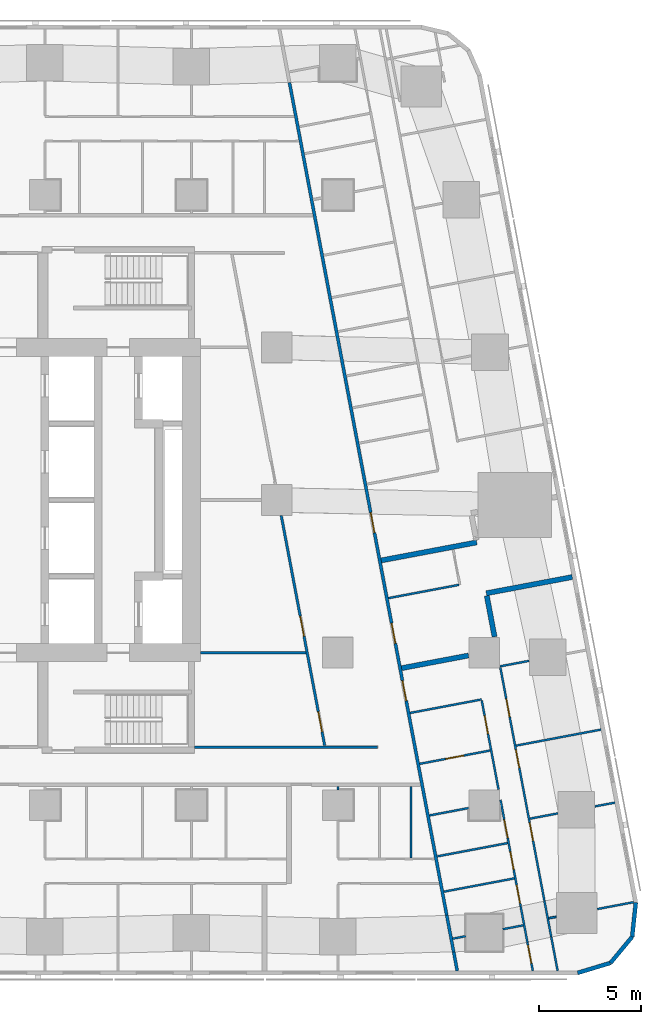
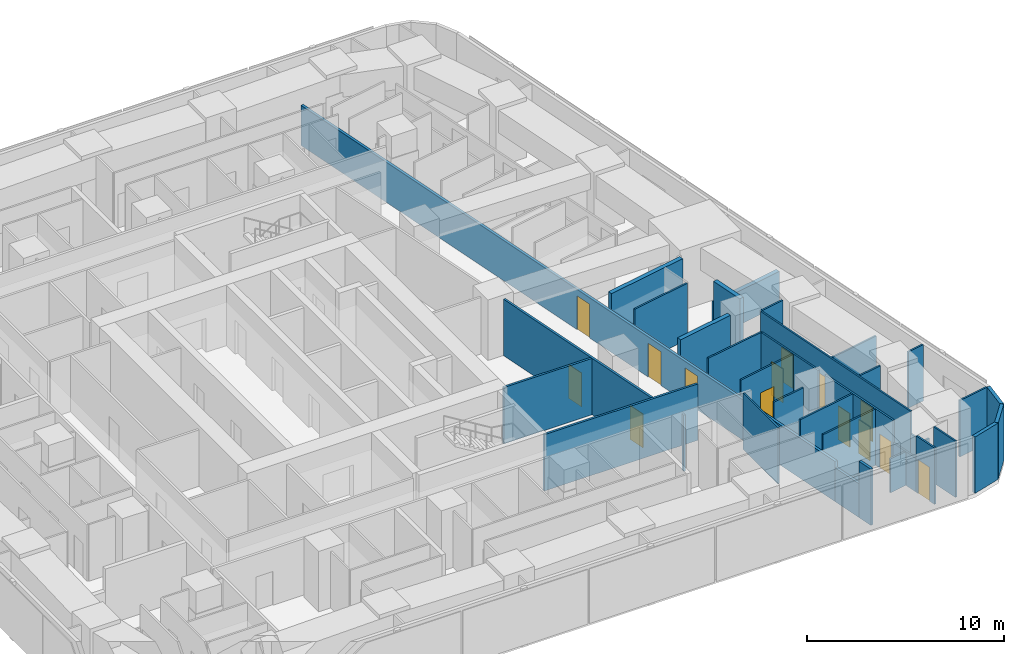
# One storey, part 7 of 15: 36 walls, 14 doors, 14 openings.
"""IFC4 building model written with IfcOpenShell, lengths in metres."""

import ifcopenshell
import ifcopenshell.guid

model = None  # the IFC model being written
_history = None  # IfcOwnerHistory: only IFC2X3 demands one
_inside = {}  # id of a spatial element -> (the spatial element, [elements in it])
_under = {}  # id of a project, library or spatial element -> (it, [spatial elements below it])
_declared = {}  # id of a project -> (the project, [libraries it declares])
_typed = {}  # id of a type object -> (the type object, [elements of that type])
_made_of = {}  # id of a material, layer set ... -> (it, [elements and type objects made of it])


def new_model(schema):
    """Start an empty IFC model of exactly this schema.

    Asked for "IFC4X3", IfcOpenShell would pick the latest addendum, in which some entities
    have other attributes; the version numbers below select the first issue.
    IFC2X3 requires an IfcOwnerHistory on every rooted entity: one is made here for all.
    """
    global model, _history
    if schema == "IFC4X3":
        model = ifcopenshell.file(schema_version=(4, 3, 0, 0))
    else:
        model = ifcopenshell.file(schema=schema)
    _inside.clear()
    _under.clear()
    _declared.clear()
    _typed.clear()
    _made_of.clear()
    _history = None
    if model.schema == "IFC2X3":
        org = make("IfcOrganization", Name="unknown")
        user = make(
            "IfcPersonAndOrganization",
            ThePerson=make("IfcPerson", FamilyName="unknown"),
            TheOrganization=org,
        )
        app = make(
            "IfcApplication",
            ApplicationDeveloper=org,
            Version="unknown",
            ApplicationFullName="unknown",
            ApplicationIdentifier="unknown",
        )
        _history = make(
            "IfcOwnerHistory",
            OwningUser=user,
            OwningApplication=app,
            ChangeAction="ADDED",
            CreationDate=0,
        )
    return model


def make(cls, **values):
    """One entity of the class cls with the attributes given. An attribute that is None is left unset."""
    return model.create_entity(
        cls, **{name: value for name, value in values.items() if value is not None}
    )


def rooted(cls, **values):
    """An entity with a GlobalId (a new one), such as an element, a storey or a relation."""
    return make(cls, GlobalId=ifcopenshell.guid.new(), OwnerHistory=_history, **values)


def si_unit(unit_type, name, prefix=None):
    """IfcSIUnit, for example si_unit("LENGTHUNIT", "METRE", prefix="MILLI")."""
    return make("IfcSIUnit", UnitType=unit_type, Prefix=prefix, Name=name)


def assignment(units):
    """IfcUnitAssignment: the units of a project."""
    return None if units is None else make("IfcUnitAssignment", Units=units)


def point(xyz):
    """IfcCartesianPoint."""
    return None if xyz is None else make("IfcCartesianPoint", Coordinates=xyz)


def direction(xyz):
    """IfcDirection."""
    return None if xyz is None else make("IfcDirection", DirectionRatios=xyz)


def frame(location, z_axis=None, x_axis=None):
    """IfcAxis2Placement3D, a coordinate frame: its origin and axes. An axis left out is left unset."""
    return make(
        "IfcAxis2Placement3D",
        Location=point(location),
        Axis=direction(z_axis),
        RefDirection=direction(x_axis),
    )


def frame_2d(location, x_axis=None):
    """IfcAxis2Placement2D, a coordinate frame in the plane: its origin and x axis."""
    return make(
        "IfcAxis2Placement2D", Location=point(location), RefDirection=direction(x_axis)
    )


def origin():
    """The frame at (0, 0, 0) with its axes left unset."""
    return frame((0.0, 0.0, 0.0))


def place(relative_to, where):
    """IfcLocalPlacement: puts the frame where relative to a parent placement (None: the world)."""
    return make(
        "IfcLocalPlacement", PlacementRelTo=relative_to, RelativePlacement=where
    )


def context(
    kind, dimensions, precision=None, world=None, true_north=None, identifier=None
):
    """IfcGeometricRepresentationContext, for example the 3D "Model" context."""
    return make(
        "IfcGeometricRepresentationContext",
        ContextIdentifier=identifier,
        ContextType=kind,
        CoordinateSpaceDimension=dimensions,
        Precision=precision,
        WorldCoordinateSystem=world,
        TrueNorth=true_north,
    )


def subcontext(parent, identifier, kind, view, scale=None):
    """IfcGeometricRepresentationSubContext, for example "Body" below "Model"."""
    return make(
        "IfcGeometricRepresentationSubContext",
        ContextIdentifier=identifier,
        ContextType=kind,
        ParentContext=parent,
        TargetScale=scale,
        TargetView=view,
    )


def project(units=None, contexts=None):
    """IfcProject with its units and contexts."""
    return rooted(
        "IfcProject",
        Name="project",
        RepresentationContexts=contexts,
        UnitsInContext=assignment(units),
    )


def spatial(cls, under=None, at=None, **own):
    """A site, building, storey or space (cls), placed at a placement, below another one or the project."""
    s = rooted(cls, ObjectPlacement=at, **own)
    if under is not None:
        _under.setdefault(under.id(), (under, []))[1].append(s)
    return s


def profile(cls, at=None, kind="AREA", **sizes):
    """A parametric profile (cls). Its sizes go by their IFC names, for example OverallWidth=200.0."""
    return make(cls, ProfileType=kind, Position=at, **sizes)


def rectangle(**sizes):
    """IfcRectangleProfileDef."""
    return profile("IfcRectangleProfileDef", **sizes)


def extrude(swept, where, along, depth):
    """IfcExtrudedAreaSolid: the profile swept, set in the frame where, extruded along a direction by depth."""
    return make(
        "IfcExtrudedAreaSolid",
        SweptArea=swept,
        Position=where,
        ExtrudedDirection=direction(along),
        Depth=depth,
    )


def shape(context_of_items, identifier, shape_type, items):
    """IfcShapeRepresentation: the items that make up one representation, for example the "Body"."""
    return make(
        "IfcShapeRepresentation",
        ContextOfItems=context_of_items,
        RepresentationIdentifier=identifier,
        RepresentationType=shape_type,
        Items=items,
    )


def material(Name=None, Category=None):
    """IfcMaterial."""
    return make("IfcMaterial", Name=Name, Category=Category)


def layer(
    of_material, thickness, ventilated=None, Name=None, Category=None, Priority=None
):
    """IfcMaterialLayer: one layer of a wall or slab, of a material (None: an air gap)."""
    return make(
        "IfcMaterialLayer",
        Material=of_material,
        LayerThickness=thickness,
        IsVentilated=ventilated,
        Name=Name,
        Category=Category,
        Priority=Priority,
    )


def layer_set(layers, Name=None):
    """IfcMaterialLayerSet."""
    return make("IfcMaterialLayerSet", MaterialLayers=layers, LayerSetName=Name)


def made_of(thing, what):
    """Note that an element or type object is made of a material, layer set ...; save() writes the relation."""
    if what is not None:
        _made_of.setdefault(what.id(), (what, []))[1].append(thing)
    return thing


def type_object(cls, material=None, **own):
    """A type object (cls), such as IfcWallType, which elements share."""
    return made_of(rooted(cls, **own), material)


def element(
    cls,
    number,
    at=None,
    inside=None,
    cuts=None,
    type_object=None,
    material=None,
    context=None,
    identifier="Body",
    shape_type=None,
    held_by="IfcProductDefinitionShape",
    body=None,
    shapes=None,
    **own,
):
    """One element of the class cls, such as IfcWall. Its Tag is "e" and its number.

    at: its placement. inside: the storey or other place that contains it. cuts: it is an
    opening in that element (IfcRelVoidsElement). A single representation is given by context,
    identifier, shape_type and body (its items); several are given by shapes. held_by: the class
    of the entity that holds the representations. save() writes the other relations.
    """
    e = rooted(cls, Tag="e%d" % number, ObjectPlacement=at, **own)
    if body is not None:
        shapes = [shape(context, identifier, shape_type, body)]
    if shapes is not None:
        e.Representation = make(held_by, Representations=shapes)
    if inside is not None:
        _inside.setdefault(inside.id(), (inside, []))[1].append(e)
    if cuts is not None:
        rooted(
            "IfcRelVoidsElement", RelatingBuildingElement=cuts, RelatedOpeningElement=e
        )
    if type_object is not None:
        _typed.setdefault(type_object.id(), (type_object, []))[1].append(e)
    return made_of(e, material)


def fill(opening, filler):
    """IfcRelFillsElement: the door or window that sits in an opening."""
    return rooted(
        "IfcRelFillsElement",
        RelatingOpeningElement=opening,
        RelatedBuildingElement=filler,
    )


def aggregate(whole, parts):
    """IfcRelAggregates: a whole, such as a stair, and the parts it consists of."""
    return rooted("IfcRelAggregates", RelatingObject=whole, RelatedObjects=parts)


def save(model, path):
    """Write the relations noted so far, then the file.

    IfcRelAggregates (storeys below a building ...), IfcRelContainedInSpatialStructure (elements
    in a storey), IfcRelDefinesByType, IfcRelAssociatesMaterial and IfcRelDeclares: one each for
    every whole, place, type object, material and project.
    """
    for whole, parts in _under.values():
        aggregate(whole, parts)
    for where, things in _inside.values():
        rooted(
            "IfcRelContainedInSpatialStructure",
            RelatedElements=things,
            RelatingStructure=where,
        )
    for kind, things in _typed.values():
        rooted("IfcRelDefinesByType", RelatedObjects=things, RelatingType=kind)
    for what, things in _made_of.values():
        rooted("IfcRelAssociatesMaterial", RelatedObjects=things, RelatingMaterial=what)
    for by, libraries in _declared.values():
        rooted("IfcRelDeclares", RelatingContext=by, RelatedDefinitions=libraries)
    model.write(path)


model = new_model("IFC4")

# Units and contexts
model_context = context("Model", 3, precision=1e-05, world=origin(), true_north=direction((0.0, 1.0)))
body_context = subcontext(model_context, "Body", "Model", "MODEL_VIEW")
ifc_project = project(units=[si_unit("LENGTHUNIT", "METRE"), si_unit("AREAUNIT", "SQUARE_METRE"), si_unit("VOLUMEUNIT", "CUBIC_METRE"), si_unit("PLANEANGLEUNIT", "RADIAN"), si_unit("MASSUNIT", "GRAM", prefix="KILO")], contexts=[model_context])

# Site, building, storey
site_placement = place(None, origin())
site = spatial("IfcSite", under=ifc_project, at=site_placement, CompositionType="ELEMENT")
building_placement = place(site_placement, origin())
building = spatial("IfcBuilding", under=site, at=building_placement, Name="Sheger Commons Tower", CompositionType="ELEMENT")
storey_placement = place(building_placement, frame((0.0, 0.0, 165.800048828125)))
storey = spatial("IfcBuildingStorey", under=building, at=storey_placement, Name="L42", CompositionType="ELEMENT", Elevation=165.800048828125)

# Wall, openings, doors
ifc_material_1 = material(Name="Hollow concrete block masonry, skimmed both sides", Category="masonry")
ifc_layer_1 = layer(ifc_material_1, 0.14990234375)
ifc_layer_set_1 = layer_set([ifc_layer_1], Name="CORRIDOR WALL 150")
wall_type_1 = type_object("IfcWallType", Name="CORRIDOR WALL 150", PredefinedType="SOLIDWALL", material=ifc_layer_set_1)
wall_1_placement = place(storey_placement, frame((33.623046875, 43.02197265625, 0.0), z_axis=(0.0, 0.0, 1.0), x_axis=(0.185596841028, -0.98262597798, 0.0)))
wall_1 = element("IfcWall", 1, at=wall_1_placement, inside=storey, type_object=wall_type_1, Name="Corridor wall L42", PredefinedType="SOLIDWALL", context=body_context, shape_type="SweptSolid", body=[
    extrude(rectangle(XDim=41.659912109375, YDim=0.14990234375, at=frame_2d((20.830078125, 0.0))), origin(), (0.0, 0.0, 1.0), 2.5),
])
opening_1_placement = place(wall_1_placement, frame((21.513916015625, 0.0, 0.0)))
opening_1 = element("IfcOpeningElement", 2, at=opening_1_placement, cuts=wall_1, Name="Opening D1", PredefinedType="OPENING", context=body_context, shape_type="SweptSolid", body=[
    extrude(rectangle(XDim=1.0, YDim=2.10009765625, at=frame_2d((0.5, 1.050048828125))), frame((0.0, 0.0849609375, 0.0), z_axis=(0.0, -1.0, 0.0), x_axis=(1.0, 0.0, 0.0)), (0.0, 0.0, 1.0), 0.169921875),
])
opening_2_placement = place(wall_1_placement, frame((27.06201171875, 0.0, 0.0)))
opening_2 = element("IfcOpeningElement", 3, at=opening_2_placement, cuts=wall_1, Name="Opening D1", PredefinedType="OPENING", context=body_context, shape_type="SweptSolid", body=[
    extrude(rectangle(XDim=1.0, YDim=2.10009765625, at=frame_2d((0.5, 1.050048828125))), frame((0.0, 0.0849609375, 0.0), z_axis=(0.0, -1.0, 0.0), x_axis=(1.0, 0.0, 0.0)), (0.0, 0.0, 1.0), 0.169921875),
])
opening_3_placement = place(wall_1_placement, frame((29.93408203125, 0.0, 0.0)))
opening_3 = element("IfcOpeningElement", 4, at=opening_3_placement, cuts=wall_1, Name="Opening D1", PredefinedType="OPENING", context=body_context, shape_type="SweptSolid", body=[
    extrude(rectangle(XDim=1.0, YDim=2.10009765625, at=frame_2d((0.5, 1.050048828125))), frame((0.0, 0.0849609375, 0.0), z_axis=(0.0, -1.0, 0.0), x_axis=(1.0, 0.0, 0.0)), (0.0, 0.0, 1.0), 0.169921875),
])
ifc_material_2 = material(Name="Steel door set, fire rated", Category="steel")
door_type_1 = type_object("IfcDoorType", Name="FLAT ENTRANCE DOOR 1000x2100", OperationType="NOTDEFINED", PredefinedType="DOOR", material=ifc_material_2)
door_1_placement = place(opening_1_placement, origin())
door_1 = element("IfcDoor", 5, at=door_1_placement, inside=storey, type_object=door_type_1, Name="Flat entrance door", OperationType="SINGLE_SWING_LEFT", OverallHeight=2.10009765625, OverallWidth=1.0, PredefinedType="DOOR", context=body_context, shape_type="SweptSolid", body=[
    extrude(rectangle(XDim=1.0, YDim=2.10009765625, at=frame_2d((0.5, 1.050048828125))), frame((0.0, 0.02490234375, 0.0), z_axis=(0.0, -1.0, 0.0), x_axis=(1.0, 0.0, 0.0)), (0.0, 0.0, 1.0), 0.050048828125),
])
fill(opening_1, door_1)
door_2_placement = place(opening_2_placement, origin())
door_2 = element("IfcDoor", 6, at=door_2_placement, inside=storey, type_object=door_type_1, Name="Flat entrance door", OperationType="SINGLE_SWING_LEFT", OverallHeight=2.10009765625, OverallWidth=1.0, PredefinedType="DOOR", context=body_context, shape_type="SweptSolid", body=[
    extrude(rectangle(XDim=1.0, YDim=2.10009765625, at=frame_2d((0.5, 1.050048828125))), frame((0.0, 0.02490234375, 0.0), z_axis=(0.0, -1.0, 0.0), x_axis=(1.0, 0.0, 0.0)), (0.0, 0.0, 1.0), 0.050048828125),
])
fill(opening_2, door_2)
door_3_placement = place(opening_3_placement, origin())
door_3 = element("IfcDoor", 7, at=door_3_placement, inside=storey, type_object=door_type_1, Name="Flat entrance door", OperationType="SINGLE_SWING_LEFT", OverallHeight=2.10009765625, OverallWidth=1.0, PredefinedType="DOOR", context=body_context, shape_type="SweptSolid", body=[
    extrude(rectangle(XDim=1.0, YDim=2.10009765625, at=frame_2d((0.5, 1.050048828125))), frame((0.0, 0.02490234375, 0.0), z_axis=(0.0, -1.0, 0.0), x_axis=(1.0, 0.0, 0.0)), (0.0, 0.0, 1.0), 0.050048828125),
])
fill(opening_3, door_3)

# Walls
wall_2_placement = place(storey_placement, frame((41.35498046875, 2.0859375, 0.0), z_axis=(0.0, 0.0, 1.0), x_axis=(0.185708872674, -0.982604811005, 0.0)))
element("IfcWall", 8, at=wall_2_placement, inside=storey, type_object=wall_type_1, Name="Corridor wall L42", PredefinedType="SOLIDWALL", context=body_context, shape_type="SweptSolid", body=[
    extrude(rectangle(XDim=1.84716796875, YDim=0.14990234375, at=frame_2d((0.923583984375, 0.0))), origin(), (0.0, 0.0, 1.0), 2.099853515625),
])
wall_3_placement = place(storey_placement, frame((41.697998046875, 0.27099609375, 0.0), z_axis=(0.0, 0.0, 1.0), x_axis=(0.185735329995, -0.982599810295, 0.0)))
element("IfcWall", 9, at=wall_3_placement, inside=storey, type_object=wall_type_1, Name="Corridor wall L42", PredefinedType="SOLIDWALL", context=body_context, shape_type="SweptSolid", body=[
    extrude(rectangle(XDim=0.937255859375, YDim=0.14990234375, at=frame_2d((0.46875, 0.0))), origin(), (0.0, 0.0, 1.0), 3.5),
])
ifc_material_3 = material(Name="Dense concrete block masonry, plastered both sides (separating wall between flats)", Category="masonry")
ifc_layer_2 = layer(ifc_material_3, 0.25)
ifc_layer_set_2 = layer_set([ifc_layer_2], Name="DEMISING WALL 250")
wall_type_2 = type_object("IfcWallType", Name="DEMISING WALL 250", PredefinedType="SOLIDWALL", material=ifc_layer_set_2)
wall_4_placement = place(storey_placement, frame((42.8291015625, 20.416015625, 0.0), z_axis=(0.0, 0.0, 1.0), x_axis=(-0.982635807605, -0.185544791394, 0.0)))
element("IfcWall", 10, at=wall_4_placement, inside=storey, type_object=wall_type_2, Name="Demising wall L42", PredefinedType="SOLIDWALL", context=body_context, shape_type="SweptSolid", body=[
    extrude(rectangle(XDim=4.775146484375, YDim=0.25, at=frame_2d((2.3876953125, 0.0))), origin(), (0.0, 0.0, 1.0), 3.5),
])
wall_5_placement = place(storey_placement, frame((47.527099609375, 18.7119140625, 0.0), z_axis=(0.0, 0.0, 1.0), x_axis=(-0.982633535512, -0.185556823879, 0.0)))
element("IfcWall", 11, at=wall_5_placement, inside=storey, type_object=wall_type_2, Name="Demising wall L42", PredefinedType="SOLIDWALL", context=body_context, shape_type="SweptSolid", body=[
    extrude(rectangle(XDim=4.2998046875, YDim=0.25, at=frame_2d((2.14990234375, 0.0))), origin(), (0.0, 0.0, 1.0), 2.099853515625),
])
wall_6_placement = place(storey_placement, frame((42.426025390625, 14.85400390625, 0.0), z_axis=(0.0, 0.0, 1.0), x_axis=(-0.982580325536, -0.185838381047, 0.0)))
element("IfcWall", 12, at=wall_6_placement, inside=storey, type_object=wall_type_2, Name="Demising wall L42", PredefinedType="SOLIDWALL", context=body_context, shape_type="SweptSolid", body=[
    extrude(rectangle(XDim=3.347412109375, YDim=0.25, at=frame_2d((1.673828125, 0.0))), origin(), (0.0, 0.0, 1.0), 3.5),
])
wall_7_placement = place(storey_placement, frame((43.324951171875, 17.791015625, 0.0), z_axis=(0.0, 0.0, 1.0), x_axis=(0.185652708443, -0.982615424186, 0.0)))
element("IfcWall", 13, at=wall_7_placement, inside=storey, type_object=wall_type_2, Name="Demising wall L42", PredefinedType="SOLIDWALL", context=body_context, shape_type="SweptSolid", body=[
    extrude(rectangle(XDim=2.052734375, YDim=0.25, at=frame_2d((1.0263671875, 0.0))), origin(), (0.0, 0.0, 1.0), 3.5),
])
ifc_material_4 = material(Name="Rendered concrete block masonry, dark grey", Category="masonry")
ifc_layer_3 = layer(ifc_material_4, 0.199951171875)
ifc_layer_set_3 = layer_set([ifc_layer_3], Name="FACADE WALL 200")
wall_type_3 = type_object("IfcWallType", Name="FACADE WALL 200", PredefinedType="SOLIDWALL", material=ifc_layer_set_3)
wall_8_placement = place(storey_placement, frame((47.791015625, -0.75, 0.0), z_axis=(0.0, 0.0, 1.0), x_axis=(0.957455232626, 0.288581838509, 0.0)))
element("IfcWall", 14, at=wall_8_placement, inside=storey, type_object=wall_type_3, Name="Facade wall L42", PredefinedType="SOLIDWALL", context=body_context, shape_type="SweptSolid", body=[
    extrude(rectangle(XDim=1.687744140625, YDim=0.199951171875, at=frame_2d((0.84375, 0.0))), origin(), (0.0, 0.0, 1.0), 3.5),
])
wall_9_placement = place(storey_placement, frame((49.406982421875, -0.262939453125, 0.0), z_axis=(0.0, 0.0, 1.0), x_axis=(0.638042593423, 0.770001070764, 0.0)))
element("IfcWall", 15, at=wall_9_placement, inside=storey, type_object=wall_type_3, Name="Facade wall L42", PredefinedType="SOLIDWALL", context=body_context, shape_type="SweptSolid", body=[
    extrude(rectangle(XDim=1.672607421875, YDim=0.199951171875, at=frame_2d((0.83642578125, 0.0))), origin(), (0.0, 0.0, 1.0), 3.5),
])
wall_10_placement = place(storey_placement, frame((50.47412109375, 1.02490234375, 0.0), z_axis=(0.0, 0.0, 1.0), x_axis=(0.106047815515, 0.994361031429, 0.0)))
element("IfcWall", 16, at=wall_10_placement, inside=storey, type_object=wall_type_3, Name="Facade wall L42", PredefinedType="SOLIDWALL", context=body_context, shape_type="SweptSolid", body=[
    extrude(rectangle(XDim=1.6875, YDim=0.199951171875, at=frame_2d((0.84375, 0.0))), origin(), (0.0, 0.0, 1.0), 3.5),
])
ifc_material_5 = material(Name="Gypsum board on steel studs", Category="steel")
ifc_layer_4 = layer(ifc_material_5, 0.10009765625)
ifc_layer_set_4 = layer_set([ifc_layer_4], Name="PARTITION 100")
wall_type_4 = type_object("IfcWallType", Name="PARTITION 100", PredefinedType="PARTITIONING", material=ifc_layer_set_4)
wall_11_placement = place(storey_placement, frame((36.0, 8.2509765625, 0.0), z_axis=(0.0, 0.0, 1.0), x_axis=(0.0, 1.0, 0.0)))
element("IfcWall", 17, at=wall_11_placement, inside=storey, type_object=wall_type_4, Name="Partition L42", PredefinedType="PARTITIONING", context=body_context, shape_type="SweptSolid", body=[
    extrude(rectangle(XDim=0.174072265625, YDim=0.10009765625, at=frame_2d((0.0869140625, 0.0))), origin(), (0.0, 0.0, 1.0), 3.5),
])
for number, where, z_axis, x_axis, name in (
    (18, (39.60009765625, 4.89990234375, 0.0), (0.0, 0.0, 1.0), (0.0, 1.0, 0.0), "Partition L42"),
    (19, (41.951904296875, 18.326904296875, 0.0), (0.0, 0.0, 1.0), (-0.982648794755, -0.185475998897, 0.0), "Partition L42"),
):
    element("IfcWall", number, at=place(storey_placement, frame(where, z_axis=z_axis, x_axis=x_axis)), inside=storey, type_object=wall_type_4, Name=name, PredefinedType="PARTITIONING", context=body_context, shape_type="SweptSolid", body=[
        extrude(rectangle(XDim=3.525146484375, YDim=0.10009765625, at=frame_2d((1.7626953125, 0.0))), origin(), (0.0, 0.0, 1.0), 3.5),
    ])

# Wall, openings, doors
wall_12_placement = place(storey_placement, frame((43.991943359375, 14.259033203125, 0.0), z_axis=(0.0, 0.0, 1.0), x_axis=(0.185567765044, -0.98263146936, 0.0)))
wall_12 = element("IfcWall", 20, at=wall_12_placement, inside=storey, type_object=wall_type_4, Name="Partition L42", PredefinedType="PARTITIONING", context=body_context, shape_type="SweptSolid", body=[
    extrude(rectangle(XDim=11.682861328125, YDim=0.10009765625, at=frame_2d((5.84130859375, 0.0))), origin(), (0.0, 0.0, 1.0), 3.5),
])
opening_4_placement = place(wall_12_placement, frame((1.56689453125, 0.0, 0.0)))
opening_4 = element("IfcOpeningElement", 21, at=opening_4_placement, cuts=wall_12, Name="Opening D2", PredefinedType="OPENING", context=body_context, shape_type="SweptSolid", body=[
    extrude(rectangle(XDim=0.89990234375, YDim=2.10009765625, at=frame_2d((0.449951171875, 1.050048828125))), frame((0.0, 0.06005859375, 0.0), z_axis=(0.0, -1.0, 0.0), x_axis=(1.0, 0.0, 0.0)), (0.0, 0.0, 1.0), 0.1201171875),
])
opening_5_placement = place(wall_12_placement, frame((4.112060546875, 0.0, 0.0)))
opening_5 = element("IfcOpeningElement", 22, at=opening_5_placement, cuts=wall_12, Name="Opening D2", PredefinedType="OPENING", context=body_context, shape_type="SweptSolid", body=[
    extrude(rectangle(XDim=0.89990234375, YDim=2.10009765625, at=frame_2d((0.449951171875, 1.050048828125))), frame((0.0, 0.06005859375, 0.0), z_axis=(0.0, -1.0, 0.0), x_axis=(1.0, 0.0, 0.0)), (0.0, 0.0, 1.0), 0.1201171875),
])
opening_6_placement = place(wall_12_placement, frame((7.76806640625, 0.0, 0.0)))
opening_6 = element("IfcOpeningElement", 23, at=opening_6_placement, cuts=wall_12, Name="Opening D2", PredefinedType="OPENING", context=body_context, shape_type="SweptSolid", body=[
    extrude(rectangle(XDim=0.89990234375, YDim=2.10009765625, at=frame_2d((0.449951171875, 1.050048828125))), frame((0.0, 0.06005859375, 0.0), z_axis=(0.0, -1.0, 0.0), x_axis=(1.0, 0.0, 0.0)), (0.0, 0.0, 1.0), 0.1201171875),
])
ifc_material_6 = material(Name="Timber door set", Category="wood")
door_type_2 = type_object("IfcDoorType", Name="INTERNAL DOOR 900x2100", OperationType="NOTDEFINED", PredefinedType="DOOR", material=ifc_material_6)
door_4_placement = place(opening_4_placement, origin())
door_4 = element("IfcDoor", 24, at=door_4_placement, inside=storey, type_object=door_type_2, Name="Main bedroom door", OperationType="SINGLE_SWING_LEFT", OverallHeight=2.10009765625, OverallWidth=0.89990234375, PredefinedType="DOOR", context=body_context, shape_type="SweptSolid", body=[
    extrude(rectangle(XDim=0.89990234375, YDim=2.10009765625, at=frame_2d((0.449951171875, 1.050048828125))), frame((0.0, 0.02490234375, 0.0), z_axis=(0.0, -1.0, 0.0), x_axis=(1.0, 0.0, 0.0)), (0.0, 0.0, 1.0), 0.050048828125),
])
fill(opening_4, door_4)
door_5_placement = place(opening_5_placement, origin())
door_5 = element("IfcDoor", 25, at=door_5_placement, inside=storey, type_object=door_type_2, Name="Bedroom 2 door", OperationType="SINGLE_SWING_LEFT", OverallHeight=2.10009765625, OverallWidth=0.89990234375, PredefinedType="DOOR", context=body_context, shape_type="SweptSolid", body=[
    extrude(rectangle(XDim=0.89990234375, YDim=2.10009765625, at=frame_2d((0.449951171875, 1.050048828125))), frame((0.0, 0.02490234375, 0.0), z_axis=(0.0, -1.0, 0.0), x_axis=(1.0, 0.0, 0.0)), (0.0, 0.0, 1.0), 0.050048828125),
])
fill(opening_5, door_5)
door_6_placement = place(opening_6_placement, origin())
door_6 = element("IfcDoor", 26, at=door_6_placement, inside=storey, type_object=door_type_2, Name="Bedroom 3 door", OperationType="SINGLE_SWING_LEFT", OverallHeight=2.10009765625, OverallWidth=0.89990234375, PredefinedType="DOOR", context=body_context, shape_type="SweptSolid", body=[
    extrude(rectangle(XDim=0.89990234375, YDim=2.10009765625, at=frame_2d((0.449951171875, 1.050048828125))), frame((0.0, 0.02490234375, 0.0), z_axis=(0.0, -1.0, 0.0), x_axis=(1.0, 0.0, 0.0)), (0.0, 0.0, 1.0), 0.050048828125),
])
fill(opening_6, door_6)

# Walls
wall_13_placement = place(storey_placement, frame((46.159912109375, 2.779052734375, 0.0), z_axis=(0.0, 0.0, 1.0), x_axis=(0.18597295662, -0.982554863306, 0.0)))
element("IfcWall", 27, at=wall_13_placement, inside=storey, type_object=wall_type_4, Name="Partition L42", PredefinedType="PARTITIONING", context=body_context, shape_type="SweptSolid", body=[
    extrude(rectangle(XDim=1.802490234375, YDim=0.10009765625, at=frame_2d((0.9013671875, 0.0))), origin(), (0.0, 0.0, 1.0), 2.099853515625),
])
wall_14_placement = place(storey_placement, frame((46.4951171875, 1.008056640625, 0.0), z_axis=(0.0, 0.0, 1.0), x_axis=(0.185502765063, -0.982643742235, 0.0)))
element("IfcWall", 28, at=wall_14_placement, inside=storey, type_object=wall_type_4, Name="Partition L42", PredefinedType="PARTITIONING", context=body_context, shape_type="SweptSolid", body=[
    extrude(rectangle(XDim=1.687255859375, YDim=0.10009765625, at=frame_2d((0.84375, 0.0))), origin(), (0.0, 0.0, 1.0), 3.5),
])

# Wall, opening, door
wall_15_placement = place(storey_placement, frame((43.075927734375, 12.64404296875, 0.0), z_axis=(0.0, 0.0, 1.0), x_axis=(0.185613232457, -0.982622881851, 0.0)))
wall_15 = element("IfcWall", 29, at=wall_15_placement, inside=storey, type_object=wall_type_4, Name="Partition L42", PredefinedType="PARTITIONING", context=body_context, shape_type="SweptSolid", body=[
    extrude(rectangle(XDim=4.461669921875, YDim=0.10009765625, at=frame_2d((2.23095703125, 0.0))), origin(), (0.0, 0.0, 1.0), 3.5),
])
opening_7_placement = place(wall_15_placement, frame((0.77294921875, 0.0, 0.0)))
opening_7 = element("IfcOpeningElement", 30, at=opening_7_placement, cuts=wall_15, Name="Opening D2", PredefinedType="OPENING", context=body_context, shape_type="SweptSolid", body=[
    extrude(rectangle(XDim=0.89990234375, YDim=2.10009765625, at=frame_2d((0.449951171875, 1.050048828125))), frame((0.0, 0.06005859375, 0.0), z_axis=(0.0, -1.0, 0.0), x_axis=(1.0, 0.0, 0.0)), (0.0, 0.0, 1.0), 0.1201171875),
])
door_7_placement = place(opening_7_placement, origin())
door_7 = element("IfcDoor", 31, at=door_7_placement, inside=storey, type_object=door_type_2, Name="Store and laundry door", OperationType="SINGLE_SWING_RIGHT", OverallHeight=2.10009765625, OverallWidth=0.89990234375, PredefinedType="DOOR", context=body_context, shape_type="SweptSolid", body=[
    extrude(rectangle(XDim=0.89990234375, YDim=2.10009765625, at=frame_2d((0.449951171875, 1.050048828125))), frame((0.0, 0.02490234375, 0.0), z_axis=(0.0, -1.0, 0.0), x_axis=(1.0, 0.0, 0.0)), (0.0, 0.0, 1.0), 0.050048828125),
])
fill(opening_7, door_7)

# Wall, openings, doors
wall_16_placement = place(storey_placement, frame((43.9990234375, 7.756103515625, 0.0), z_axis=(0.0, 0.0, 1.0), x_axis=(0.185701292061, -0.982606243684, 0.0)))
wall_16 = element("IfcWall", 32, at=wall_16_placement, inside=storey, type_object=wall_type_4, Name="Partition L42", PredefinedType="PARTITIONING", context=body_context, shape_type="SweptSolid", body=[
    extrude(rectangle(XDim=5.320556640625, YDim=0.10009765625, at=frame_2d((2.66015625, 0.0))), origin(), (0.0, 0.0, 1.0), 3.5),
])
opening_8_placement = place(wall_16_placement, frame((1.0, 0.0, 0.0)))
opening_8 = element("IfcOpeningElement", 33, at=opening_8_placement, cuts=wall_16, Name="Opening D2", PredefinedType="OPENING", context=body_context, shape_type="SweptSolid", body=[
    extrude(rectangle(XDim=0.89990234375, YDim=2.10009765625, at=frame_2d((0.449951171875, 1.050048828125))), frame((0.0, 0.06005859375, 0.0), z_axis=(0.0, -1.0, 0.0), x_axis=(1.0, 0.0, 0.0)), (0.0, 0.0, 1.0), 0.1201171875),
])
opening_9_placement = place(wall_16_placement, frame((4.27099609375, 0.0, 0.0)))
opening_9 = element("IfcOpeningElement", 34, at=opening_9_placement, cuts=wall_16, Name="Opening D2", PredefinedType="OPENING", context=body_context, shape_type="SweptSolid", body=[
    extrude(rectangle(XDim=0.89990234375, YDim=2.10009765625, at=frame_2d((0.449951171875, 1.050048828125))), frame((0.0, 0.06005859375, 0.0), z_axis=(0.0, -1.0, 0.0), x_axis=(1.0, 0.0, 0.0)), (0.0, 0.0, 1.0), 0.1201171875),
])
opening_10_placement = place(wall_16_placement, frame((2.5859375, 0.0, 0.0)))
opening_10 = element("IfcOpeningElement", 35, at=opening_10_placement, cuts=wall_16, Name="Opening D2", PredefinedType="OPENING", context=body_context, shape_type="SweptSolid", body=[
    extrude(rectangle(XDim=0.89990234375, YDim=2.10009765625, at=frame_2d((0.449951171875, 1.050048828125))), frame((0.0, 0.06005859375, 0.0), z_axis=(0.0, -1.0, 0.0), x_axis=(1.0, 0.0, 0.0)), (0.0, 0.0, 1.0), 0.1201171875),
])
door_8_placement = place(opening_8_placement, origin())
door_8 = element("IfcDoor", 36, at=door_8_placement, inside=storey, type_object=door_type_2, Name="Bathroom door", OperationType="SINGLE_SWING_LEFT", OverallHeight=2.10009765625, OverallWidth=0.89990234375, PredefinedType="DOOR", context=body_context, shape_type="SweptSolid", body=[
    extrude(rectangle(XDim=0.89990234375, YDim=2.10009765625, at=frame_2d((0.449951171875, 1.050048828125))), frame((0.0, 0.02490234375, 0.0), z_axis=(0.0, -1.0, 0.0), x_axis=(1.0, 0.0, 0.0)), (0.0, 0.0, 1.0), 0.050048828125),
])
fill(opening_8, door_8)
door_9_placement = place(opening_9_placement, origin())
door_9 = element("IfcDoor", 37, at=door_9_placement, inside=storey, type_object=door_type_2, Name="Laundry room door", OperationType="SINGLE_SWING_LEFT", OverallHeight=2.10009765625, OverallWidth=0.89990234375, PredefinedType="DOOR", context=body_context, shape_type="SweptSolid", body=[
    extrude(rectangle(XDim=0.89990234375, YDim=2.10009765625, at=frame_2d((0.449951171875, 1.050048828125))), frame((0.0, 0.02490234375, 0.0), z_axis=(0.0, -1.0, 0.0), x_axis=(1.0, 0.0, 0.0)), (0.0, 0.0, 1.0), 0.050048828125),
])
fill(opening_9, door_9)
door_10_placement = place(opening_10_placement, origin())
door_10 = element("IfcDoor", 38, at=door_10_placement, inside=storey, type_object=door_type_2, Name="Store door", OperationType="SINGLE_SWING_RIGHT", OverallHeight=2.10009765625, OverallWidth=0.89990234375, PredefinedType="DOOR", context=body_context, shape_type="SweptSolid", body=[
    extrude(rectangle(XDim=0.89990234375, YDim=2.10009765625, at=frame_2d((0.449951171875, 1.050048828125))), frame((0.0, 0.02490234375, 0.0), z_axis=(0.0, -1.0, 0.0), x_axis=(1.0, 0.0, 0.0)), (0.0, 0.0, 1.0), 0.050048828125),
])
fill(opening_10, door_10)

# Wall
wall_17_placement = place(storey_placement, frame((44.987060546875, 2.528076171875, 0.0), z_axis=(0.0, 0.0, 1.0), x_axis=(0.185319006173, -0.98267841431, 0.0)))
element("IfcWall", 39, at=wall_17_placement, inside=storey, type_object=wall_type_4, Name="Partition L42", PredefinedType="PARTITIONING", context=body_context, shape_type="SweptSolid", body=[
    extrude(rectangle(XDim=1.80224609375, YDim=0.10009765625, at=frame_2d((0.901123046875, 0.0))), origin(), (0.0, 0.0, 1.0), 2.099853515625),
])

# Wall, opening, door
wall_18_placement = place(storey_placement, frame((45.321044921875, 0.757080078125, 0.0), z_axis=(0.0, 0.0, 1.0), x_axis=(0.185678113719, -0.982610623841, 0.0)))
wall_18 = element("IfcWall", 40, at=wall_18_placement, inside=storey, type_object=wall_type_4, Name="Partition L42", PredefinedType="PARTITIONING", context=body_context, shape_type="SweptSolid", body=[
    extrude(rectangle(XDim=1.431884765625, YDim=0.10009765625, at=frame_2d((0.7158203125, 0.0))), origin(), (0.0, 0.0, 1.0), 3.5),
])
opening_11_placement = place(wall_18_placement, frame((0.14990234375, 0.0, 0.0)))
opening_11 = element("IfcOpeningElement", 41, at=opening_11_placement, cuts=wall_18, Name="Opening D2", PredefinedType="OPENING", context=body_context, shape_type="SweptSolid", body=[
    extrude(rectangle(XDim=0.89990234375, YDim=2.10009765625, at=frame_2d((0.449951171875, 1.050048828125))), frame((0.0, 0.06005859375, 0.0), z_axis=(0.0, -1.0, 0.0), x_axis=(1.0, 0.0, 0.0)), (0.0, 0.0, 1.0), 0.1201171875),
])
door_11_placement = place(opening_11_placement, origin())
door_11 = element("IfcDoor", 42, at=door_11_placement, inside=storey, type_object=door_type_2, Name="Store and laundry door", OperationType="SINGLE_SWING_RIGHT", OverallHeight=2.10009765625, OverallWidth=0.89990234375, PredefinedType="DOOR", context=body_context, shape_type="SweptSolid", body=[
    extrude(rectangle(XDim=0.89990234375, YDim=2.10009765625, at=frame_2d((0.449951171875, 1.050048828125))), frame((0.0, 0.02490234375, 0.0), z_axis=(0.0, -1.0, 0.0), x_axis=(1.0, 0.0, 0.0)), (0.0, 0.0, 1.0), 0.050048828125),
])
fill(opening_11, door_11)

# Walls
wall_19_placement = place(storey_placement, frame((45.404052734375, 14.591064453125, 0.0), z_axis=(0.0, 0.0, 1.0), x_axis=(-0.982617614942, -0.185641112921, 0.0)))
element("IfcWall", 43, at=wall_19_placement, inside=storey, type_object=wall_type_4, Name="Partition L42", PredefinedType="PARTITIONING", context=body_context, shape_type="SweptSolid", body=[
    extrude(rectangle(XDim=1.44921875, YDim=0.10009765625, at=frame_2d((0.724609375, 0.0))), origin(), (0.0, 0.0, 1.0), 3.5),
])
wall_20_placement = place(storey_placement, frame((48.943115234375, 11.212890625, 0.0), z_axis=(0.0, 0.0, 1.0), x_axis=(-0.982623519589, -0.185609856287, 0.0)))
element("IfcWall", 44, at=wall_20_placement, inside=storey, type_object=wall_type_4, Name="Partition L42", PredefinedType="PARTITIONING", context=body_context, shape_type="SweptSolid", body=[
    extrude(rectangle(XDim=4.249755859375, YDim=0.10009765625, at=frame_2d((2.125, 0.0))), origin(), (0.0, 0.0, 1.0), 2.099853515625),
])
wall_21_placement = place(storey_placement, frame((49.6220703125, 7.6201171875, 0.0), z_axis=(0.0, 0.0, 1.0), x_axis=(-0.982708646087, -0.185158626332, 0.0)))
element("IfcWall", 45, at=wall_21_placement, inside=storey, type_object=wall_type_4, Name="Partition L42", PredefinedType="PARTITIONING", context=body_context, shape_type="SweptSolid", body=[
    extrude(rectangle(XDim=0.99951171875, YDim=0.10009765625, at=frame_2d((0.499755859375, 0.0))), origin(), (0.0, 0.0, 1.0), 3.5),
])
wall_22_placement = place(storey_placement, frame((46.820068359375, 7.091064453125, 0.0), z_axis=(0.0, 0.0, 1.0), x_axis=(-0.982689853246, -0.185258339427, 0.0)))
element("IfcWall", 46, at=wall_22_placement, inside=storey, type_object=wall_type_4, Name="Partition L42", PredefinedType="PARTITIONING", context=body_context, shape_type="SweptSolid", body=[
    extrude(rectangle(XDim=1.398193359375, YDim=0.10009765625, at=frame_2d((0.69921875, 0.0))), origin(), (0.0, 0.0, 1.0), 3.5),
])
wall_23_placement = place(storey_placement, frame((50.547119140625, 2.72607421875, 0.0), z_axis=(0.0, 0.0, 1.0), x_axis=(-0.982603988143, -0.185713226471, 0.0)))
element("IfcWall", 47, at=wall_23_placement, inside=storey, type_object=wall_type_4, Name="Partition L42", PredefinedType="PARTITIONING", context=body_context, shape_type="SweptSolid", body=[
    extrude(rectangle(XDim=1.82080078125, YDim=0.10009765625, at=frame_2d((0.910400390625, 0.0))), origin(), (0.0, 0.0, 1.0), 3.5),
])
wall_24_placement = place(storey_placement, frame((46.738037109375, 2.006103515625, 0.0), z_axis=(0.0, 0.0, 1.0), x_axis=(-0.982820466874, -0.184564161994, 0.0)))
element("IfcWall", 48, at=wall_24_placement, inside=storey, type_object=wall_type_4, Name="Partition L42", PredefinedType="PARTITIONING", context=body_context, shape_type="SweptSolid", body=[
    extrude(rectangle(XDim=0.374267578125, YDim=0.10009765625, at=frame_2d((0.18701171875, 0.0))), origin(), (0.0, 0.0, 1.0), 2.099853515625),
])
wall_25_placement = place(storey_placement, frame((43.06689453125, 12.693115234375, 0.0), z_axis=(0.0, 0.0, 1.0), x_axis=(-0.982598214409, -0.185743772548, 0.0)))
element("IfcWall", 49, at=wall_25_placement, inside=storey, type_object=wall_type_4, Name="Partition L42", PredefinedType="PARTITIONING", context=body_context, shape_type="SweptSolid", body=[
    extrude(rectangle(XDim=3.5751953125, YDim=0.10009765625, at=frame_2d((1.78759765625, 0.0))), origin(), (0.0, 0.0, 1.0), 3.5),
])

# Wall, opening, door
wall_26_placement = place(storey_placement, frame((43.489990234375, 10.18310546875, 0.0), z_axis=(0.0, 0.0, 1.0), x_axis=(-0.982588017646, -0.185797706064, 0.0)))
wall_26 = element("IfcWall", 50, at=wall_26_placement, inside=storey, type_object=wall_type_4, Name="Partition L42", PredefinedType="PARTITIONING", context=body_context, shape_type="SweptSolid", body=[
    extrude(rectangle(XDim=3.525390625, YDim=0.10009765625, at=frame_2d((1.7626953125, 0.0))), origin(), (0.0, 0.0, 1.0), 3.5),
])
opening_12_placement = place(wall_26_placement, frame((1.324951171875, 0.0, 0.0)))
opening_12 = element("IfcOpeningElement", 51, at=opening_12_placement, cuts=wall_26, Name="Opening D2", PredefinedType="OPENING", context=body_context, shape_type="SweptSolid", body=[
    extrude(rectangle(XDim=0.89990234375, YDim=2.10009765625, at=frame_2d((0.449951171875, 1.050048828125))), frame((0.0, 0.06005859375, 0.0), z_axis=(0.0, -1.0, 0.0), x_axis=(1.0, 0.0, 0.0)), (0.0, 0.0, 1.0), 0.1201171875),
])
door_12_placement = place(opening_12_placement, origin())
door_12 = element("IfcDoor", 52, at=door_12_placement, inside=storey, type_object=door_type_2, Name="Store door", OperationType="SINGLE_SWING_RIGHT", OverallHeight=2.10009765625, OverallWidth=0.89990234375, PredefinedType="DOOR", context=body_context, shape_type="SweptSolid", body=[
    extrude(rectangle(XDim=0.89990234375, YDim=2.10009765625, at=frame_2d((0.449951171875, 1.050048828125))), frame((0.0, 0.02490234375, 0.0), z_axis=(0.0, -1.0, 0.0), x_axis=(1.0, 0.0, 0.0)), (0.0, 0.0, 1.0), 0.050048828125),
])
fill(opening_12, door_12)

# Walls
wall_27_placement = place(storey_placement, frame((42.43994140625, 7.35693359375, 0.0), z_axis=(0.0, 0.0, 1.0), x_axis=(-0.982581871375, -0.185830207569, 0.0)))
element("IfcWall", 53, at=wall_27_placement, inside=storey, type_object=wall_type_4, Name="Partition L42", PredefinedType="PARTITIONING", context=body_context, shape_type="SweptSolid", body=[
    extrude(rectangle(XDim=1.969482421875, YDim=0.10009765625, at=frame_2d((0.98486328125, 0.0))), origin(), (0.0, 0.0, 1.0), 3.5),
])
wall_28_placement = place(storey_placement, frame((45.114013671875, 1.5869140625, 0.0), z_axis=(0.0, 0.0, 1.0), x_axis=(-0.982567886437, -0.185904138047, 0.0)))
element("IfcWall", 54, at=wall_28_placement, inside=storey, type_object=wall_type_4, Name="Partition L42", PredefinedType="PARTITIONING", context=body_context, shape_type="SweptSolid", body=[
    extrude(rectangle(XDim=1.021728515625, YDim=0.10009765625, at=frame_2d((0.5107421875, 0.0))), origin(), (0.0, 0.0, 1.0), 2.099853515625),
])
wall_29_placement = place(storey_placement, frame((42.2900390625, 1.052978515625, 0.0), z_axis=(0.0, 0.0, 1.0), x_axis=(-0.982573945355, -0.185872111707, 0.0)))
element("IfcWall", 55, at=wall_29_placement, inside=storey, type_object=wall_type_4, Name="Partition L42", PredefinedType="PARTITIONING", context=body_context, shape_type="SweptSolid", body=[
    extrude(rectangle(XDim=0.651611328125, YDim=0.10009765625, at=frame_2d((0.32568359375, 0.0))), origin(), (0.0, 0.0, 1.0), 2.099853515625),
])
for number, where, z_axis, x_axis, name in (
    (56, (44.677001953125, 3.89599609375, 0.0), (0.0, 0.0, 1.0), (-0.982638553676, -0.185530247748, 0.0), "Partition L42"),
    (57, (44.35009765625, 5.631103515625, 0.0), (0.0, 0.0, 1.0), (-0.982638553676, -0.185530247748, 0.0), "Partition L42"),
):
    element("IfcWall", number, at=place(storey_placement, frame(where, z_axis=z_axis, x_axis=x_axis)), inside=storey, type_object=wall_type_4, Name=name, PredefinedType="PARTITIONING", context=body_context, shape_type="SweptSolid", body=[
        extrude(rectangle(XDim=3.525390625, YDim=0.10009765625, at=frame_2d((1.7626953125, 0.0))), origin(), (0.0, 0.0, 1.0), 3.5),
    ])
ifc_material_7 = material(Name="Gypsum board on steel studs, two layers each side, fire rated", Category="steel")
ifc_layer_5 = layer(ifc_material_7, 0.125)
ifc_layer_set_5 = layer_set([ifc_layer_5], Name="SERVICE WALL 125")
wall_type_5 = type_object("IfcWallType", Name="SERVICE WALL 125", PredefinedType="PARTITIONING", material=ifc_layer_set_5)
wall_30_placement = place(storey_placement, frame((28.949951171875, 10.35009765625, 0.0), z_axis=(0.0, 0.0, 1.0), x_axis=(1.0, 0.0, 0.0)))
element("IfcWall", 58, at=wall_30_placement, inside=storey, type_object=wall_type_5, Name="Service room wall L42", PredefinedType="PARTITIONING", context=body_context, shape_type="SweptSolid", body=[
    extrude(rectangle(XDim=9.012939453125, YDim=0.125, at=frame_2d((4.50634765625, 0.0))), origin(), (0.0, 0.0, 1.0), 3.5),
])

# Wall, openings, doors
wall_31_placement = place(storey_placement, frame((35.35400390625, 10.424072265625, 0.0), z_axis=(0.0, 0.0, 1.0), x_axis=(-0.185612234763, 0.982623070311, 0.0)))
wall_31 = element("IfcWall", 59, at=wall_31_placement, inside=storey, type_object=wall_type_5, Name="Service room wall L42", PredefinedType="PARTITIONING", context=body_context, shape_type="SweptSolid", body=[
    extrude(rectangle(XDim=11.512939453125, YDim=0.125, at=frame_2d((5.75634765625, 0.0))), origin(), (0.0, 0.0, 1.0), 3.5),
])
opening_13_placement = place(wall_31_placement, frame((0.697021484375, 0.0, 0.0)))
opening_13 = element("IfcOpeningElement", 60, at=opening_13_placement, cuts=wall_31, Name="Opening D4", PredefinedType="OPENING", context=body_context, shape_type="SweptSolid", body=[
    extrude(rectangle(XDim=1.0, YDim=2.10009765625, at=frame_2d((0.5, 1.050048828125))), frame((0.0, 0.072509765625, 0.0), z_axis=(0.0, -1.0, 0.0), x_axis=(1.0, 0.0, 0.0)), (0.0, 0.0, 1.0), 0.14501953125),
])
opening_14_placement = place(wall_31_placement, frame((5.47998046875, 0.0, 0.0)))
opening_14 = element("IfcOpeningElement", 61, at=opening_14_placement, cuts=wall_31, Name="Opening D4", PredefinedType="OPENING", context=body_context, shape_type="SweptSolid", body=[
    extrude(rectangle(XDim=1.0, YDim=2.10009765625, at=frame_2d((0.5, 1.050048828125))), frame((0.0, 0.072509765625, 0.0), z_axis=(0.0, -1.0, 0.0), x_axis=(1.0, 0.0, 0.0)), (0.0, 0.0, 1.0), 0.14501953125),
])
ifc_material_8 = material(Name="Steel door set, fire rated", Category="steel")
door_type_3 = type_object("IfcDoorType", Name="SERVICE DOOR 1000x2100", OperationType="NOTDEFINED", PredefinedType="DOOR", material=ifc_material_8)
door_13_placement = place(opening_13_placement, origin())
door_13 = element("IfcDoor", 62, at=door_13_placement, inside=storey, type_object=door_type_3, Name="Residents' study room door", OperationType="SINGLE_SWING_LEFT", OverallHeight=2.10009765625, OverallWidth=1.0, PredefinedType="DOOR", context=body_context, shape_type="SweptSolid", body=[
    extrude(rectangle(XDim=1.0, YDim=2.10009765625, at=frame_2d((0.5, 1.050048828125))), frame((0.0, 0.02490234375, 0.0), z_axis=(0.0, -1.0, 0.0), x_axis=(1.0, 0.0, 0.0)), (0.0, 0.0, 1.0), 0.050048828125),
])
fill(opening_13, door_13)
door_14_placement = place(opening_14_placement, origin())
door_14 = element("IfcDoor", 63, at=door_14_placement, inside=storey, type_object=door_type_3, Name="Bicycle and pram store door", OperationType="SINGLE_SWING_LEFT", OverallHeight=2.10009765625, OverallWidth=1.0, PredefinedType="DOOR", context=body_context, shape_type="SweptSolid", body=[
    extrude(rectangle(XDim=1.0, YDim=2.10009765625, at=frame_2d((0.5, 1.050048828125))), frame((0.0, 0.02490234375, 0.0), z_axis=(0.0, -1.0, 0.0), x_axis=(1.0, 0.0, 0.0)), (0.0, 0.0, 1.0), 0.050048828125),
])
fill(opening_14, door_14)

# Wall
wall_32_placement = place(storey_placement, frame((29.25, 15.0, 0.0), z_axis=(0.0, 0.0, 1.0), x_axis=(1.0, 0.0, 0.0)))
element("IfcWall", 64, at=wall_32_placement, inside=storey, type_object=wall_type_5, Name="Service room wall L42", PredefinedType="PARTITIONING", context=body_context, shape_type="SweptSolid", body=[
    extrude(rectangle(XDim=5.176025390625, YDim=0.125, at=frame_2d((2.587890625, 0.0))), origin(), (0.0, 0.0, 1.0), 3.5),
])

save(model, "model.ifc")
